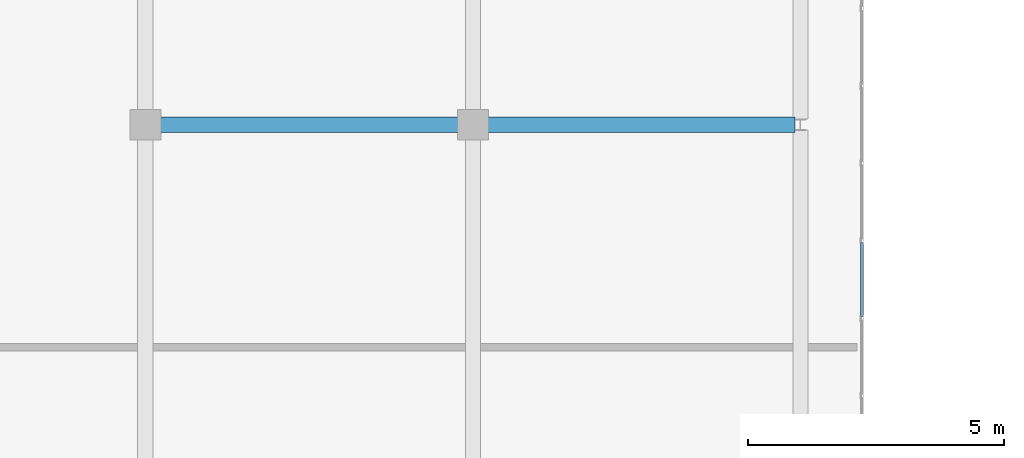
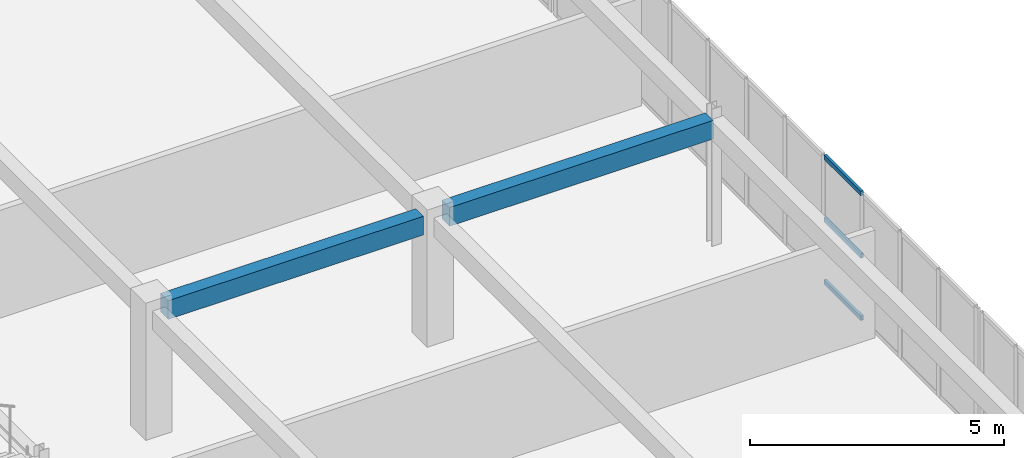
# One storey, part 76 of 200: 3 members, 2 beams, 1 element without a shape of its own.
"""IFC4 building model written with IfcOpenShell, lengths in metres."""

from ifc_helpers import new_model, si_unit, direction, frame, origin, origin_2d, place, context, subcontext, project, spatial, rectangle, hollow_rectangle, extrude, material, layer, layer_set, material_profile, profile_set, type_object, element, aggregate, save


model = new_model("IFC4")

# Units and contexts
model_context = context("Model", 3, precision=1e-05, world=origin(), true_north=direction((0.0, 1.0)))
body_context = subcontext(model_context, "Body", "Model", "MODEL_VIEW")
ifc_project = project(units=[si_unit("LENGTHUNIT", "METRE"), si_unit("AREAUNIT", "SQUARE_METRE"), si_unit("VOLUMEUNIT", "CUBIC_METRE"), si_unit("PLANEANGLEUNIT", "RADIAN"), si_unit("MASSUNIT", "GRAM", prefix="KILO")], contexts=[model_context])

# Site, building, storey
site_placement = place(None, origin())
site = spatial("IfcSite", under=ifc_project, at=site_placement, CompositionType="ELEMENT")
building_placement = place(site_placement, origin())
building = spatial("IfcBuilding", under=site, at=building_placement, Name="Trelvath General Hospital", CompositionType="ELEMENT")
storey_placement = place(building_placement, frame((0.0, 0.0, 4.800048828125)))
storey = spatial("IfcBuildingStorey", under=building, at=storey_placement, Name="L01", CompositionType="ELEMENT", Elevation=4.800048828125)

# Beams
ifc_material_1 = material(Name="Concrete C35/45", Category="concrete")
ifc_material_profile_1 = material_profile(ifc_material_1, rectangle(XDim=0.300048828125, YDim=0.449951171875, at=origin_2d()), Name="RCB300x450")
ifc_profile_set_1 = profile_set([ifc_material_profile_1], Name="Concrete C35/45")
beam_type = type_object("IfcBeamType", Name="Beam RC300x450", PredefinedType="BEAM", material=ifc_profile_set_1)
beam_1_placement = place(storey_placement, frame((107.49609375, 58.800048828125, 2.8349609375), z_axis=(1.0, 0.0, 0.0), x_axis=(0.0, 1.0, 0.0)))
element("IfcBeam", 1, at=beam_1_placement, inside=storey, type_object=beam_type, Name="Cube Interior Ring Beam CUBE-E-T0 L01", PredefinedType="BEAM", context=body_context, shape_type="SweptSolid", body=[
    extrude(rectangle(XDim=0.300048828125, YDim=0.449951171875, at=origin_2d()), origin(), (0.0, 0.0, 1.0), 5.807861328125),
])
beam_2_placement = place(storey_placement, frame((113.89599609375, 58.800048828125, 2.8349609375), z_axis=(1.0, 0.0, 0.0), x_axis=(0.0, 1.0, 0.0)))
element("IfcBeam", 2, at=beam_2_placement, inside=storey, type_object=beam_type, Name="Cube Interior Ring Beam CUBE-E-T0 L01", PredefinedType="BEAM", context=body_context, shape_type="SweptSolid", body=[
    extrude(rectangle(XDim=0.300048828125, YDim=0.449951171875, at=origin_2d()), origin(), (0.0, 0.0, 1.0), 5.998046875),
])

# Curtain wall, members
ifc_material_2 = material(Name="Anodised aluminium and low-E glass", Category="aluminium")
ifc_layer = layer(ifc_material_2, 0.14990234375)
ifc_layer_set = layer_set([ifc_layer], Name="Anodised aluminium and low-E glass")
curtain_wall_type = type_object("IfcCurtainWallType", Name="CW CrystalCube 1664 306 15", PredefinedType="USERDEFINED", material=ifc_layer_set)
curtain_wall_placement = place(storey_placement, origin())
curtain_wall = element("IfcCurtainWall", 3, at=curtain_wall_placement, inside=storey, type_object=curtain_wall_type, Name="Crystal Cube Curtain Wall CUBE-E-T0 E4 L01", ObjectType="Unitised Glazed Curtain Wall", PredefinedType="USERDEFINED")
ifc_material_3 = material(Name="Anodised aluminium", Category="aluminium")
ifc_material_profile_2 = material_profile(ifc_material_3, hollow_rectangle(XDim=0.06005859375, YDim=0.110107421875, WallThickness=0.00390625, at=origin_2d()), Name="RHS60x110x4")
ifc_profile_set_2 = profile_set([ifc_material_profile_2], Name="Anodised aluminium")
member_type = type_object("IfcMemberType", Name="CurtainTransom 60x110", PredefinedType="USERDEFINED", material=ifc_profile_set_2)
member_1_placement = place(storey_placement, frame((121.199951171875, 56.5009765625, 0.030029296875), z_axis=(0.0, -1.0, 0.0), x_axis=(1.0, 0.0, 0.0)))
member_1 = element("IfcMember", 4, at=member_1_placement, type_object=member_type, Name="CW-165 transom 8.1", ObjectType="TRANSOM", PredefinedType="USERDEFINED", context=body_context, shape_type="SweptSolid", body=[
    extrude(hollow_rectangle(XDim=0.06005859375, YDim=0.110107421875, WallThickness=0.00390625, at=origin_2d()), origin(), (0.0, 0.0, 1.0), 1.452880859375),
])
member_2_placement = place(storey_placement, frame((121.199951171875, 56.5009765625, 1.530029296875), z_axis=(0.0, -1.0, 0.0), x_axis=(1.0, 0.0, 0.0)))
member_2 = element("IfcMember", 5, at=member_2_placement, type_object=member_type, Name="CW-165 transom 8.2", ObjectType="TRANSOM", PredefinedType="USERDEFINED", context=body_context, shape_type="SweptSolid", body=[
    extrude(hollow_rectangle(XDim=0.06005859375, YDim=0.110107421875, WallThickness=0.00390625, at=origin_2d()), origin(), (0.0, 0.0, 1.0), 1.452880859375),
])
member_3_placement = place(storey_placement, frame((121.199951171875, 56.5009765625, 3.030029296875), z_axis=(0.0, -1.0, 0.0), x_axis=(1.0, 0.0, 0.0)))
member_3 = element("IfcMember", 6, at=member_3_placement, type_object=member_type, Name="CW-165 transom 8.3", ObjectType="TRANSOM", PredefinedType="USERDEFINED", context=body_context, shape_type="SweptSolid", body=[
    extrude(hollow_rectangle(XDim=0.06005859375, YDim=0.110107421875, WallThickness=0.00390625, at=origin_2d()), origin(), (0.0, 0.0, 1.0), 1.452880859375),
])
aggregate(curtain_wall, [member_1, member_2, member_3])

save(model, "model.ifc")
